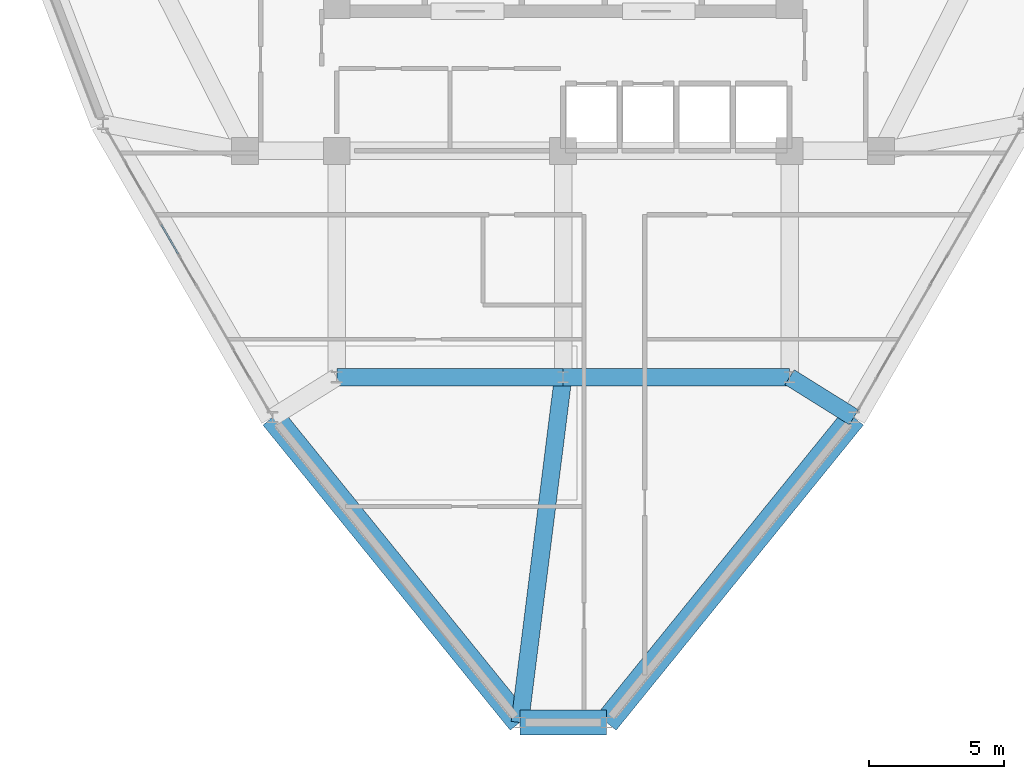
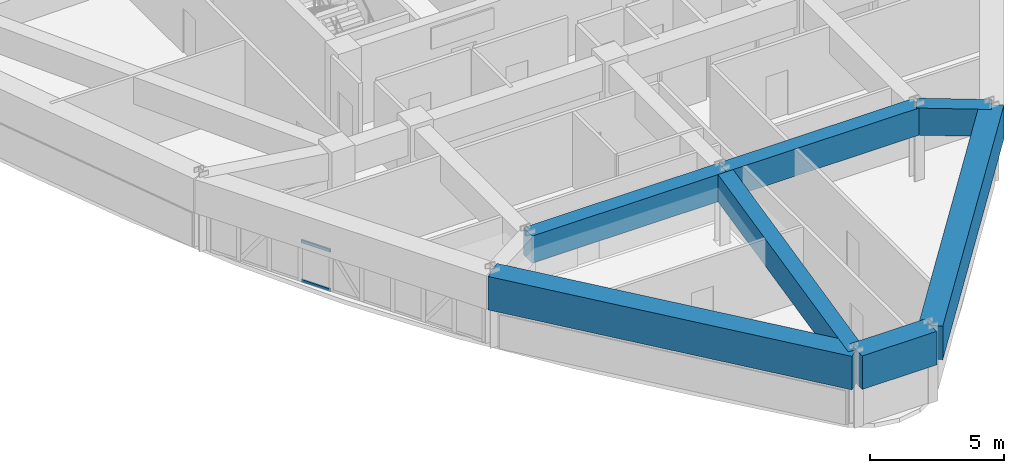
# One storey, part 3 of 13: 7 beams, 2 members, 1 element without a shape of its own.
"""IFC4 building model written with IfcOpenShell, lengths in metres."""

from ifc_helpers import new_model, si_unit, derived_unit, direction, frame, origin, origin_2d, place, context, subcontext, project, spatial, rectangle, hollow_rectangle, extrude, source, transform, mapped, material, layer, layer_set, material_profile, profile_set, type_object, element, aggregate, save


model = new_model("IFC4")

# Units and contexts
model_context = context("Model", 3, precision=1e-05, world=origin(), true_north=direction((0.0, 1.0)))
body_context = subcontext(model_context, "Body", "Model", "MODEL_VIEW")
ifc_project = project(units=[si_unit("LENGTHUNIT", "METRE"), si_unit("AREAUNIT", "SQUARE_METRE"), si_unit("VOLUMEUNIT", "CUBIC_METRE"), si_unit("PLANEANGLEUNIT", "RADIAN"), si_unit("MASSUNIT", "GRAM", prefix="KILO"), derived_unit("THERMALTRANSMITTANCEUNIT", [(si_unit("POWERUNIT", "WATT"), 1), (si_unit("LENGTHUNIT", "METRE"), -2), (si_unit("THERMODYNAMICTEMPERATUREUNIT", "KELVIN"), -1)])], contexts=[model_context])

# Site, building, storey
site_placement = place(None, origin())
site = spatial("IfcSite", under=ifc_project, at=site_placement, CompositionType="ELEMENT")
building_placement = place(site_placement, origin())
building = spatial("IfcBuilding", under=site, at=building_placement, Name="Korsvarv Bourse and Concert Hall", CompositionType="ELEMENT")
storey_placement = place(building_placement, frame((0.0, 0.0, 183.0)))
storey = spatial("IfcBuildingStorey", under=building, at=storey_placement, Name="L47", CompositionType="ELEMENT", Elevation=183.0)

# Beams
ifc_material_1 = material(Name="Concrete C50/60", Category="concrete")
ifc_material_profile_1 = material_profile(ifc_material_1, rectangle(XDim=0.64990234375, YDim=1.239990234375, at=origin_2d()), Name="RC-BM 650x1240")
ifc_profile_set_1 = profile_set([ifc_material_profile_1], Name="Concrete C50/60")
beam_type_1 = type_object("IfcBeamType", Name="BM-TR-SPN", PredefinedType="BEAM", material=ifc_profile_set_1)
shared_shape_1 = source(origin(), body_context, "Body", "SweptSolid", [
    extrude(rectangle(XDim=0.64990234375, YDim=1.239990234375, at=origin_2d()), origin(), (0.0, 0.0, 1.0), 8.39990234375),
])
for number, where, z_axis, x_axis, name in (
    (1, (27.60009765625, 24.0, 2.780029296875), (1.0, 0.0, 0.0), (0.0, 1.0, 0.0), "L47 beam B-TRS"),
    (2, (36.0, 24.0, 2.780029296875), (1.0, 0.0, 0.0), (0.0, 1.0, 0.0), "L47 beam B-TRS"),
):
    element("IfcBeam", number, at=place(storey_placement, frame(where, z_axis=z_axis, x_axis=x_axis)), inside=storey, type_object=beam_type_1, Name=name, PredefinedType="BEAM", context=body_context, shape_type="MappedRepresentation", body=[
        mapped(shared_shape_1, transform((0.0, 0.0, 0.0), scale=1.0)),
    ])
ifc_material_profile_2 = material_profile(ifc_material_1, rectangle(XDim=0.919921875, YDim=1.530029296875, at=origin_2d()), Name="RC-BM 920x1530")
ifc_profile_set_2 = profile_set([ifc_material_profile_2], Name="Concrete C50/60")
beam_type_2 = type_object("IfcBeamType", Name="BM-TR-154", PredefinedType="BEAM", material=ifc_profile_set_2)
shared_shape_2 = source(origin(), body_context, "Body", "SweptSolid", [
    extrude(rectangle(XDim=0.919921875, YDim=1.530029296875, at=origin_2d()), origin(), (0.0, 0.0, 1.0), 3.21533203125),
])
beam_1_placement = place(storey_placement, frame((34.392333984375, 11.189453125, 2.635009765625), z_axis=(1.0, 0.0, 0.0), x_axis=(0.0, 1.0, 0.0)))
element("IfcBeam", 3, at=beam_1_placement, inside=storey, type_object=beam_type_2, Name="L47 beam B-TR6", PredefinedType="BEAM", context=body_context, shape_type="MappedRepresentation", body=[
    mapped(shared_shape_2, transform((0.0, 0.0, 0.0), scale=1.0)),
])
shared_shape_3 = source(origin(), body_context, "Body", "SweptSolid", [
    extrude(rectangle(XDim=0.919921875, YDim=1.530029296875, at=origin_2d()), origin(), (0.0, 0.0, 1.0), 14.57373046875),
])
for number, where, z_axis, x_axis, name in (
    (4, (25.216796875, 22.51220703125, 2.635009765625), (0.629591866745, -0.776926046242, 0.0), (0.776926046242, 0.629591866745, 0.0), "L47 beam B-TR6"),
    (5, (37.607666015625, 11.189453125, 2.635009765625), (0.629591866745, 0.776926046242, 0.0), (-0.776926046242, 0.629591866745, 0.0), "L47 beam B-TR6"),
):
    element("IfcBeam", number, at=place(storey_placement, frame(where, z_axis=z_axis, x_axis=x_axis)), inside=storey, type_object=beam_type_2, Name=name, PredefinedType="BEAM", context=body_context, shape_type="MappedRepresentation", body=[
        mapped(shared_shape_3, transform((0.0, 0.0, 0.0), scale=1.0)),
    ])
shared_shape_4 = source(origin(), body_context, "Body", "SweptSolid", [
    extrude(rectangle(XDim=0.64990234375, YDim=1.239990234375, at=origin_2d()), origin(), (0.0, 0.0, 1.0), 2.8095703125),
])
beam_2_placement = place(storey_placement, frame((46.783203125, 22.51220703125, 2.780029296875), z_axis=(-0.848281328121, 0.529545832163, 0.0), x_axis=(-0.529545832163, -0.848281328121, 0.0)))
element("IfcBeam", 6, at=beam_2_placement, inside=storey, type_object=beam_type_1, Name="L47 beam B-TRS", PredefinedType="BEAM", context=body_context, shape_type="MappedRepresentation", body=[
    mapped(shared_shape_4, transform((0.0, 0.0, 0.0), scale=1.0)),
])
shared_shape_5 = source(origin(), body_context, "Body", "SweptSolid", [
    extrude(rectangle(XDim=0.64990234375, YDim=1.239990234375, at=origin_2d()), origin(), (0.0, 0.0, 1.0), 12.9111328125),
])
beam_3_placement = place(storey_placement, frame((34.392333984375, 11.189453125, 2.780029296875), z_axis=(0.124518802036, 0.992217248358, 0.0), x_axis=(-0.992217248358, 0.124518802036, 0.0)))
element("IfcBeam", 7, at=beam_3_placement, inside=storey, type_object=beam_type_1, Name="L47 beam B-TRS", PredefinedType="BEAM", context=body_context, shape_type="MappedRepresentation", body=[
    mapped(shared_shape_5, transform((0.0, 0.0, 0.0), scale=1.0)),
])

# Curtain wall, members
ifc_material_2 = material(Name="Anodised aluminium and triple low-E glazing", Category="glass")
ifc_layer = layer(ifc_material_2, 0.199951171875)
ifc_layer_set = layer_set([ifc_layer], Name="Anodised aluminium and triple low-E glazing")
curtain_wall_type = type_object("IfcCurtainWallType", Name="CW-SYS-3", PredefinedType="NOTDEFINED", material=ifc_layer_set)
curtain_wall_placement = place(storey_placement, origin())
curtain_wall = element("IfcCurtainWall", 8, at=curtain_wall_placement, inside=storey, type_object=curtain_wall_type, Name="L47 CW3 curtain wall CW-L47-F07", PredefinedType="NOTDEFINED")
ifc_material_3 = material(Name="Extruded aluminium EN AW-6063 T66", Category="aluminium")
ifc_material_profile_3 = material_profile(ifc_material_3, hollow_rectangle(XDim=0.06494140625, YDim=0.139892578125, WallThickness=0.00390625, at=origin_2d()), Name="ALU-T 65x140")
ifc_profile_set_3 = profile_set([ifc_material_profile_3], Name="Extruded aluminium EN AW-6063 T66")
member_type = type_object("IfcMemberType", Name="CWT-140", PredefinedType="USERDEFINED", material=ifc_profile_set_3)
shared_shape_6 = source(origin(), body_context, "Body", "SweptSolid", [
    extrude(hollow_rectangle(XDim=0.06494140625, YDim=0.139892578125, WallThickness=0.00390625, at=origin_2d()), origin(), (0.0, 0.0, 1.0), 1.26123046875),
])
member_1_placement = place(storey_placement, frame((21.09130859375, 29.657958984375, 0.032470703125), z_axis=(0.499990548297, -0.866030860659, 0.0), x_axis=(0.866030860659, 0.499990548297, 0.0)))
member_1 = element("IfcMember", 9, at=member_1_placement, type_object=member_type, Name="CW3 transom 4.1", ObjectType="TRANSOM", PredefinedType="USERDEFINED", context=body_context, shape_type="MappedRepresentation", body=[
    mapped(shared_shape_6, transform((0.0, 0.0, 0.0), scale=1.0)),
])
member_2_placement = place(storey_placement, frame((21.09130859375, 29.657958984375, 1.83740234375), z_axis=(0.499990548297, -0.866030860659, 0.0), x_axis=(0.866030860659, 0.499990548297, 0.0)))
member_2 = element("IfcMember", 10, at=member_2_placement, type_object=member_type, Name="CW3 transom 4.2", ObjectType="TRANSOM", PredefinedType="USERDEFINED", context=body_context, shape_type="MappedRepresentation", body=[
    mapped(shared_shape_6, transform((0.0, 0.0, 0.0), scale=1.0)),
])
aggregate(curtain_wall, [member_1, member_2])

save(model, "model.ifc")
